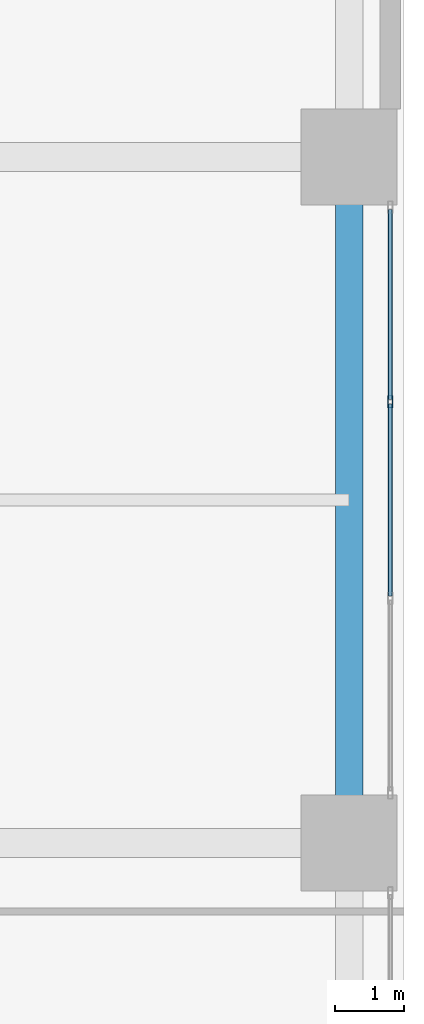
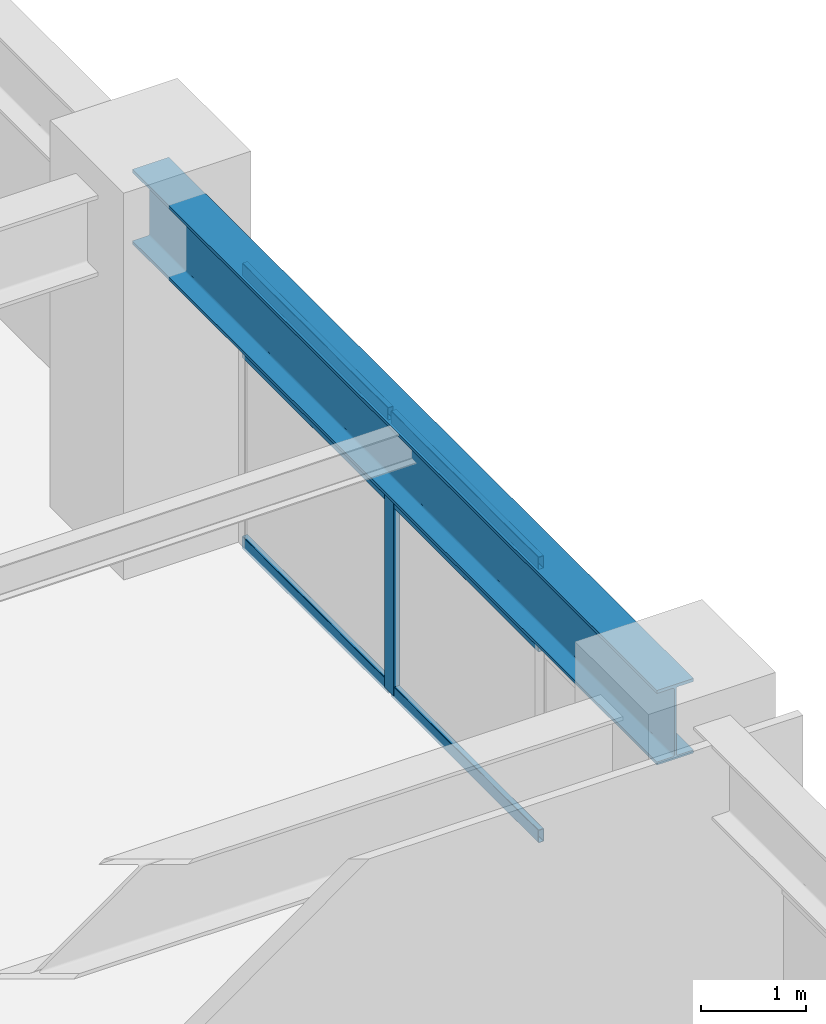
# One storey, part 16 of 28: 7 members, 1 beam, 1 element without a shape of its own.
"""IFC4 building model written with IfcOpenShell, lengths in metres."""

from ifc_helpers import new_model, si_unit, direction, frame, origin, origin_2d, place, context, subcontext, project, spatial, hollow_rectangle, i_section, extrude, material, layer, layer_set, material_profile, profile_set, type_object, element, aggregate, save


model = new_model("IFC4")

# Units and contexts
model_context = context("Model", 3, precision=1e-05, world=origin(), true_north=direction((0.0, 1.0)))
body_context = subcontext(model_context, "Body", "Model", "MODEL_VIEW")
ifc_project = project(units=[si_unit("LENGTHUNIT", "METRE"), si_unit("AREAUNIT", "SQUARE_METRE"), si_unit("VOLUMEUNIT", "CUBIC_METRE"), si_unit("PLANEANGLEUNIT", "RADIAN"), si_unit("MASSUNIT", "GRAM", prefix="KILO")], contexts=[model_context])

# Site, building, storey
site_placement = place(None, origin())
site = spatial("IfcSite", under=ifc_project, at=site_placement, CompositionType="ELEMENT")
building_placement = place(site_placement, origin())
building = spatial("IfcBuilding", under=site, at=building_placement, Name="Soratama Intermodal Tower", CompositionType="ELEMENT")
storey_placement = place(building_placement, frame((0.0, 0.0, 16.199951171875)))
storey = spatial("IfcBuildingStorey", under=building, at=storey_placement, Name="L03", CompositionType="ELEMENT", Elevation=16.199951171875)

# Beam
ifc_material_1 = material(Name="Structural steel ASTM A992 Grade 50", Category="steel")
ifc_material_profile_1 = material_profile(ifc_material_1, i_section(OverallWidth=0.403076171875, OverallDepth=0.867919921875, WebThickness=0.02099609375, FlangeThickness=0.03564453125, FilletRadius=0.01806640625, at=origin_2d()), Name="W33X241")
ifc_profile_set_1 = profile_set([ifc_material_profile_1], Name="Structural steel ASTM A992 Grade 50")
beam_type = type_object("IfcBeamType", Name="BM-POD-EXT-W33", PredefinedType="BEAM", material=ifc_profile_set_1)
beam_placement = place(storey_placement, frame((83.199951171875, 25.0, 3.74609375), z_axis=(0.0, 1.0, 0.0), x_axis=(-1.0, 0.0, 0.0)))
element("IfcBeam", 1, at=beam_placement, inside=storey, type_object=beam_type, Name="L03 Station Girder Y4-3", PredefinedType="BEAM", context=body_context, shape_type="SweptSolid", body=[
    extrude(i_section(OverallWidth=0.403076171875, OverallDepth=0.867919921875, WebThickness=0.02099609375, FlangeThickness=0.03564453125, FilletRadius=0.01806640625, at=origin_2d()), origin(), (0.0, 0.0, 1.0), 10.0),
])

# Curtain wall, members
ifc_material_2 = material(Name="Double-glazed aluminium curtain wall", Category="aluminium")
ifc_layer = layer(ifc_material_2, 0.159912109375)
ifc_layer_set = layer_set([ifc_layer], Name="Double-glazed aluminium curtain wall")
curtain_wall_type = type_object("IfcCurtainWallType", Name="CW-SYS-1", PredefinedType="NOTDEFINED", material=ifc_layer_set)
curtain_wall_placement = place(storey_placement, origin())
curtain_wall = element("IfcCurtainWall", 2, at=curtain_wall_placement, inside=storey, type_object=curtain_wall_type, Name="L03 Station Curtain Wall E2", PredefinedType="NOTDEFINED")
ifc_material_3 = material(Name="Anodised aluminium AA 6063-T6", Category="aluminium")
ifc_material_profile_2 = material_profile(ifc_material_3, hollow_rectangle(XDim=0.074951171875, YDim=0.179931640625, WallThickness=0.006103515625, InnerFilletRadius=0.006103515625, OuterFilletRadius=0.011962890625, at=origin_2d()), Name="CWM180X75X6")
ifc_profile_set_2 = profile_set([ifc_material_profile_2], Name="Anodised aluminium AA 6063-T6")
member_type_1 = type_object("IfcMemberType", Name="MT-CWM-1", PredefinedType="MULLION", material=ifc_profile_set_2)
member_1_placement = place(storey_placement, frame((83.800048828125, 31.433349609375, 0.0), z_axis=(0.0, 0.0, 1.0), x_axis=(-1.0, 0.0, 0.0)))
member_1 = element("IfcMember", 3, at=member_1_placement, type_object=member_type_1, Name="CW-1 mullion 3", PredefinedType="MULLION", context=body_context, shape_type="SweptSolid", body=[
    extrude(hollow_rectangle(XDim=0.074951171875, YDim=0.179931640625, WallThickness=0.006103515625, InnerFilletRadius=0.006103515625, OuterFilletRadius=0.011962890625, at=origin_2d()), origin(), (0.0, 0.0, 1.0), 3.236083984375),
])
ifc_material_4 = material(Name="Anodised aluminium AA 6063-T6", Category="aluminium")
ifc_material_profile_3 = material_profile(ifc_material_4, hollow_rectangle(XDim=0.06494140625, YDim=0.14990234375, WallThickness=0.0048828125, InnerFilletRadius=0.0048828125, OuterFilletRadius=0.010009765625, at=origin_2d()), Name="CWT150X65X5")
ifc_profile_set_3 = profile_set([ifc_material_profile_3], Name="Anodised aluminium AA 6063-T6")
member_type_2 = type_object("IfcMemberType", Name="TT-CWT-1", PredefinedType="USERDEFINED", material=ifc_profile_set_3)
member_2_placement = place(storey_placement, frame((83.800048828125, 28.5966796875, 0.030029296875), z_axis=(0.0, 1.0, 0.0), x_axis=(-1.0, 0.0, 0.0)))
member_2 = element("IfcMember", 4, at=member_2_placement, type_object=member_type_2, Name="CW-1 transom 2.1", ObjectType="TRANSOM", PredefinedType="USERDEFINED", context=body_context, shape_type="SweptSolid", body=[
    extrude(hollow_rectangle(XDim=0.06494140625, YDim=0.14990234375, WallThickness=0.0048828125, InnerFilletRadius=0.0048828125, OuterFilletRadius=0.010009765625, at=origin_2d()), origin(), (0.0, 0.0, 1.0), 2.806640625),
])
member_3_placement = place(storey_placement, frame((83.800048828125, 28.5966796875, 2.25), z_axis=(0.0, 1.0, 0.0), x_axis=(-1.0, 0.0, 0.0)))
member_3 = element("IfcMember", 5, at=member_3_placement, type_object=member_type_2, Name="CW-1 transom 2.2", ObjectType="TRANSOM", PredefinedType="USERDEFINED", context=body_context, shape_type="SweptSolid", body=[
    extrude(hollow_rectangle(XDim=0.06494140625, YDim=0.14990234375, WallThickness=0.0048828125, InnerFilletRadius=0.0048828125, OuterFilletRadius=0.010009765625, at=origin_2d()), origin(), (0.0, 0.0, 1.0), 2.806640625),
])
member_4_placement = place(storey_placement, frame((83.800048828125, 28.5966796875, 3.2060546875), z_axis=(0.0, 1.0, 0.0), x_axis=(-1.0, 0.0, 0.0)))
member_4 = element("IfcMember", 6, at=member_4_placement, type_object=member_type_2, Name="CW-1 transom 2.3", ObjectType="TRANSOM", PredefinedType="USERDEFINED", context=body_context, shape_type="SweptSolid", body=[
    extrude(hollow_rectangle(XDim=0.06494140625, YDim=0.14990234375, WallThickness=0.0048828125, InnerFilletRadius=0.0048828125, OuterFilletRadius=0.010009765625, at=origin_2d()), origin(), (0.0, 0.0, 1.0), 2.806640625),
])
member_5_placement = place(storey_placement, frame((83.800048828125, 31.46337890625, 0.030029296875), z_axis=(0.0, 1.0, 0.0), x_axis=(-1.0, 0.0, 0.0)))
member_5 = element("IfcMember", 7, at=member_5_placement, type_object=member_type_2, Name="CW-1 transom 3.1", ObjectType="TRANSOM", PredefinedType="USERDEFINED", context=body_context, shape_type="SweptSolid", body=[
    extrude(hollow_rectangle(XDim=0.06494140625, YDim=0.14990234375, WallThickness=0.0048828125, InnerFilletRadius=0.0048828125, OuterFilletRadius=0.010009765625, at=origin_2d()), origin(), (0.0, 0.0, 1.0), 2.776611328125),
])
member_6_placement = place(storey_placement, frame((83.800048828125, 31.46337890625, 2.25), z_axis=(0.0, 1.0, 0.0), x_axis=(-1.0, 0.0, 0.0)))
member_6 = element("IfcMember", 8, at=member_6_placement, type_object=member_type_2, Name="CW-1 transom 3.2", ObjectType="TRANSOM", PredefinedType="USERDEFINED", context=body_context, shape_type="SweptSolid", body=[
    extrude(hollow_rectangle(XDim=0.06494140625, YDim=0.14990234375, WallThickness=0.0048828125, InnerFilletRadius=0.0048828125, OuterFilletRadius=0.010009765625, at=origin_2d()), origin(), (0.0, 0.0, 1.0), 2.776611328125),
])
member_7_placement = place(storey_placement, frame((83.800048828125, 31.46337890625, 3.2060546875), z_axis=(0.0, 1.0, 0.0), x_axis=(-1.0, 0.0, 0.0)))
member_7 = element("IfcMember", 9, at=member_7_placement, type_object=member_type_2, Name="CW-1 transom 3.3", ObjectType="TRANSOM", PredefinedType="USERDEFINED", context=body_context, shape_type="SweptSolid", body=[
    extrude(hollow_rectangle(XDim=0.06494140625, YDim=0.14990234375, WallThickness=0.0048828125, InnerFilletRadius=0.0048828125, OuterFilletRadius=0.010009765625, at=origin_2d()), origin(), (0.0, 0.0, 1.0), 2.776611328125),
])
aggregate(curtain_wall, [member_1, member_2, member_3, member_4, member_5, member_6, member_7])

save(model, "model.ifc")
